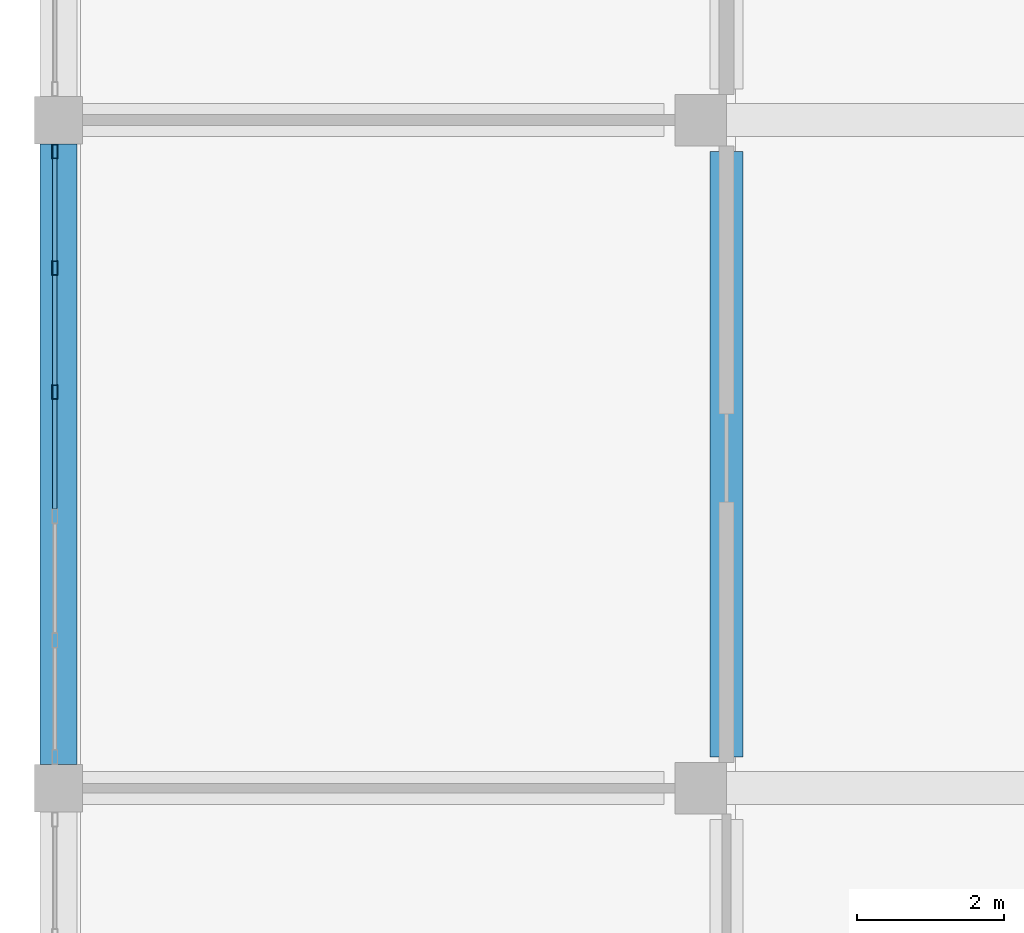
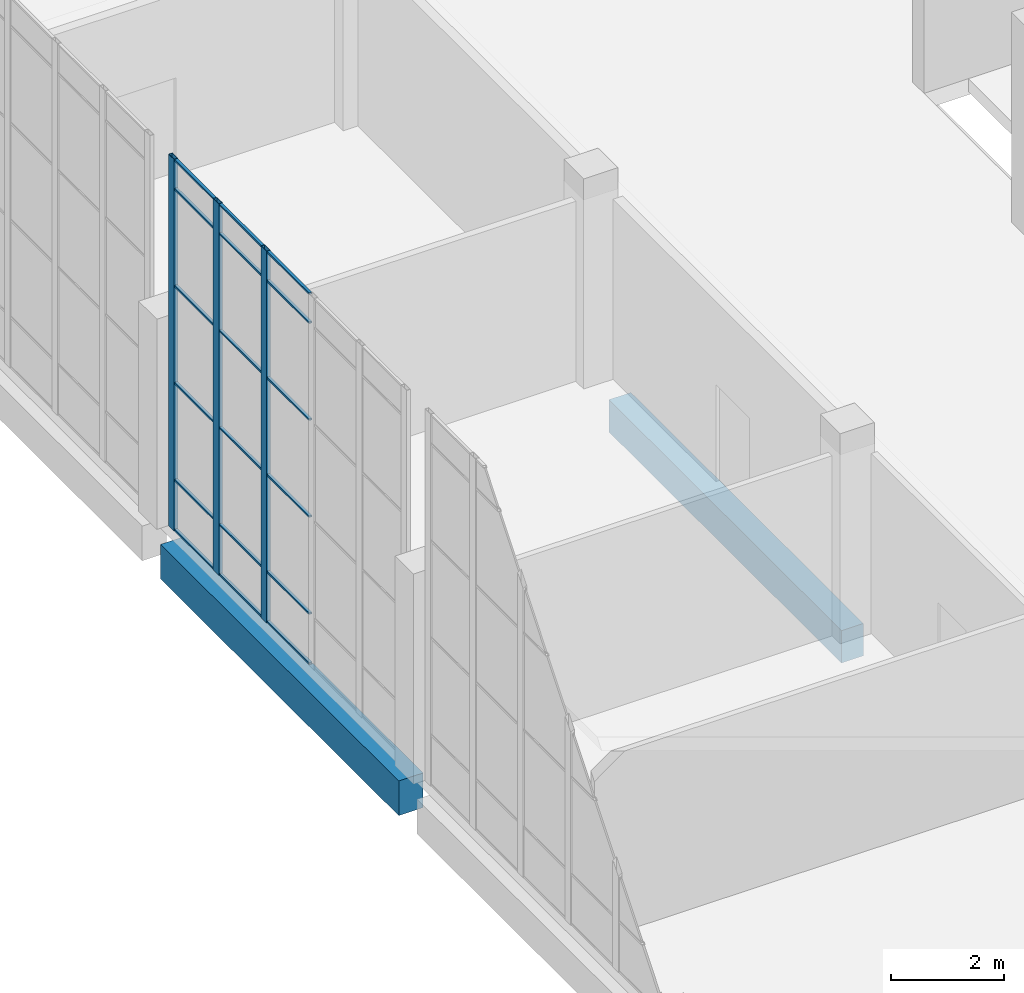
# One storey, part 14 of 126: 21 members, 2 beams, 1 element without a shape of its own.
"""IFC4 building model written with IfcOpenShell, lengths in metres."""

from ifc_helpers import new_model, si_unit, direction, frame, origin, origin_2d, place, context, subcontext, project, spatial, rectangle, hollow_rectangle, extrude, material, layer, layer_set, material_profile, profile_set, type_object, element, aggregate, save


model = new_model("IFC4")

# Units and contexts
model_context = context("Model", 3, precision=1e-05, world=origin(), true_north=direction((0.0, 1.0)))
body_context = subcontext(model_context, "Body", "Model", "MODEL_VIEW")
ifc_project = project(units=[si_unit("LENGTHUNIT", "METRE"), si_unit("AREAUNIT", "SQUARE_METRE"), si_unit("VOLUMEUNIT", "CUBIC_METRE"), si_unit("PLANEANGLEUNIT", "RADIAN"), si_unit("MASSUNIT", "GRAM", prefix="KILO")], contexts=[model_context])

# Site, building, storey
site_placement = place(None, origin())
site = spatial("IfcSite", under=ifc_project, at=site_placement, CompositionType="ELEMENT")
building_placement = place(site_placement, origin())
building = spatial("IfcBuilding", under=site, at=building_placement, Name="Shirokan Park Arena", CompositionType="ELEMENT")
storey_placement = place(building_placement, frame((0.0, 0.0, 6.3701171875)))
storey = spatial("IfcBuildingStorey", under=building, at=storey_placement, Name="L01", CompositionType="ELEMENT", Elevation=6.3701171875)

# Curtain wall, members
ifc_material_1 = material(Name="Steel and glass curtain wall", Category="steel")
ifc_layer = layer(ifc_material_1, 0.199951171875)
ifc_layer_set = layer_set([ifc_layer], Name="Steel and glass curtain wall 200 mm")
curtain_wall_type = type_object("IfcCurtainWallType", Name="Curtain wall hall bay 200", PredefinedType="NOTDEFINED", material=ifc_layer_set)
curtain_wall_placement = place(storey_placement, origin())
curtain_wall = element("IfcCurtainWall", 1, at=curtain_wall_placement, inside=storey, type_object=curtain_wall_type, Name="Curtain wall west bay 6 L01", PredefinedType="NOTDEFINED")
ifc_material_2 = material(Name="Steel S355", Category="steel")
ifc_material_profile_1 = material_profile(ifc_material_2, hollow_rectangle(XDim=0.080078125, YDim=0.199951171875, WallThickness=0.008056640625, at=origin_2d()), Name="RHS 200x80x8")
ifc_profile_set_1 = profile_set([ifc_material_profile_1], Name="Steel S355")
member_type_1 = type_object("IfcMemberType", Name="Mullion RHS 200x80x8", PredefinedType="MULLION", material=ifc_profile_set_1)
member_1_placement = place(storey_placement, frame((-0.050048828125, 63.27490234375, 0.0), z_axis=(0.0, 0.0, 1.0), x_axis=(1.0, 0.0, 0.0)))
member_1 = element("IfcMember", 2, at=member_1_placement, type_object=member_type_1, Name="CW5 mullion 1", PredefinedType="MULLION", context=body_context, shape_type="SweptSolid", body=[
    extrude(hollow_rectangle(XDim=0.080078125, YDim=0.199951171875, WallThickness=0.008056640625, at=origin_2d()), origin(), (0.0, 0.0, 1.0), 8.0498046875),
])
member_2_placement = place(storey_placement, frame((-0.050048828125, 61.68505859375, 0.0), z_axis=(0.0, 0.0, 1.0), x_axis=(1.0, 0.0, 0.0)))
member_2 = element("IfcMember", 3, at=member_2_placement, type_object=member_type_1, Name="CW5 mullion 2", PredefinedType="MULLION", context=body_context, shape_type="SweptSolid", body=[
    extrude(hollow_rectangle(XDim=0.080078125, YDim=0.199951171875, WallThickness=0.008056640625, at=origin_2d()), origin(), (0.0, 0.0, 1.0), 8.0498046875),
])
member_3_placement = place(storey_placement, frame((-0.050048828125, 59.9951171875, 0.0), z_axis=(0.0, 0.0, 1.0), x_axis=(1.0, 0.0, 0.0)))
member_3 = element("IfcMember", 4, at=member_3_placement, type_object=member_type_1, Name="CW5 mullion 3", PredefinedType="MULLION", context=body_context, shape_type="SweptSolid", body=[
    extrude(hollow_rectangle(XDim=0.080078125, YDim=0.199951171875, WallThickness=0.008056640625, at=origin_2d()), origin(), (0.0, 0.0, 1.0), 8.0498046875),
])

# Beams
ifc_material_3 = material(Name="Concrete C35", Category="concrete")
ifc_material_profile_2 = material_profile(ifc_material_3, rectangle(XDim=0.449951171875, YDim=0.699951171875, at=origin_2d()), Name="450x700")
ifc_profile_set_2 = profile_set([ifc_material_profile_2], Name="Concrete C35")
beam_type_1 = type_object("IfcBeamType", Name="RC girder 450x700", PredefinedType="BEAM", material=ifc_profile_set_2)
beam_1_placement = place(storey_placement, frame((9.10009765625, 55.025146484375, -0.7001953125), z_axis=(0.0, 1.0, 0.0), x_axis=(-1.0, 0.0, 0.0)))
element("IfcBeam", 5, at=beam_1_placement, inside=storey, type_object=beam_type_1, Name="Girder 2G-2H L01", PredefinedType="BEAM", context=body_context, shape_type="SweptSolid", body=[
    extrude(rectangle(XDim=0.449951171875, YDim=0.699951171875, at=origin_2d()), origin(), (0.0, 0.0, 1.0), 8.249755859375),
])
ifc_material_profile_3 = material_profile(ifc_material_3, rectangle(XDim=0.5, YDim=0.75, at=origin_2d()), Name="500x750")
ifc_profile_set_3 = profile_set([ifc_material_profile_3], Name="Concrete C35")
beam_type_2 = type_object("IfcBeamType", Name="RC girder 500x750", PredefinedType="BEAM", material=ifc_profile_set_3)
beam_2_placement = place(storey_placement, frame((0.0, 54.925048828125, -0.72509765625), z_axis=(0.0, 1.0, 0.0), x_axis=(-1.0, 0.0, 0.0)))
element("IfcBeam", 6, at=beam_2_placement, inside=storey, type_object=beam_type_2, Name="Girder 1G-1H L01", PredefinedType="BEAM", context=body_context, shape_type="SweptSolid", body=[
    extrude(rectangle(XDim=0.5, YDim=0.75, at=origin_2d()), origin(), (0.0, 0.0, 1.0), 8.449951171875),
])

# Member
ifc_material_profile_4 = material_profile(ifc_material_2, hollow_rectangle(XDim=0.06005859375, YDim=0.0400390625, WallThickness=0.00390625, at=origin_2d()), Name="RHS 60x40x4")
ifc_profile_set_4 = profile_set([ifc_material_profile_4], Name="Steel S355")
member_type_2 = type_object("IfcMemberType", Name="Transom RHS 60x40x4", PredefinedType="MULLION", material=ifc_profile_set_4)
member_4_placement = place(storey_placement, frame((-0.050048828125, 63.175048828125, 0.019775390625), z_axis=(0.0, -1.0, 0.0), x_axis=(1.0, 0.0, 0.0)))
member_4 = element("IfcMember", 7, at=member_4_placement, type_object=member_type_2, Name="CW5 transom 1.1", PredefinedType="MULLION", context=body_context, shape_type="SweptSolid", body=[
    extrude(hollow_rectangle(XDim=0.06005859375, YDim=0.0400390625, WallThickness=0.00390625, at=origin_2d()), origin(), (0.0, 0.0, 1.0), 1.39013671875),
])

member_5_placement = place(storey_placement, frame((-0.050048828125, 63.175048828125, 1.099853515625), z_axis=(0.0, -1.0, 0.0), x_axis=(1.0, 0.0, 0.0)))
member_5 = element("IfcMember", 8, at=member_5_placement, type_object=member_type_2, Name="CW5 transom 1.2", PredefinedType="MULLION", context=body_context, shape_type="SweptSolid", body=[
    extrude(hollow_rectangle(XDim=0.06005859375, YDim=0.0400390625, WallThickness=0.00390625, at=origin_2d()), origin(), (0.0, 0.0, 1.0), 1.39013671875),
])

member_6_placement = place(storey_placement, frame((-0.050048828125, 63.175048828125, 3.199951171875), z_axis=(0.0, -1.0, 0.0), x_axis=(1.0, 0.0, 0.0)))
member_6 = element("IfcMember", 9, at=member_6_placement, type_object=member_type_2, Name="CW5 transom 1.3", PredefinedType="MULLION", context=body_context, shape_type="SweptSolid", body=[
    extrude(hollow_rectangle(XDim=0.06005859375, YDim=0.0400390625, WallThickness=0.00390625, at=origin_2d()), origin(), (0.0, 0.0, 1.0), 1.39013671875),
])

member_7_placement = place(storey_placement, frame((-0.050048828125, 63.175048828125, 5.2998046875), z_axis=(0.0, -1.0, 0.0), x_axis=(1.0, 0.0, 0.0)))
member_7 = element("IfcMember", 10, at=member_7_placement, type_object=member_type_2, Name="CW5 transom 1.4", PredefinedType="MULLION", context=body_context, shape_type="SweptSolid", body=[
    extrude(hollow_rectangle(XDim=0.06005859375, YDim=0.0400390625, WallThickness=0.00390625, at=origin_2d()), origin(), (0.0, 0.0, 1.0), 1.39013671875),
])

member_8_placement = place(storey_placement, frame((-0.050048828125, 63.175048828125, 7.39990234375), z_axis=(0.0, -1.0, 0.0), x_axis=(1.0, 0.0, 0.0)))
member_8 = element("IfcMember", 11, at=member_8_placement, type_object=member_type_2, Name="CW5 transom 1.5", PredefinedType="MULLION", context=body_context, shape_type="SweptSolid", body=[
    extrude(hollow_rectangle(XDim=0.06005859375, YDim=0.0400390625, WallThickness=0.00390625, at=origin_2d()), origin(), (0.0, 0.0, 1.0), 1.39013671875),
])

member_9_placement = place(storey_placement, frame((-0.050048828125, 63.175048828125, 8.02978515625), z_axis=(0.0, -1.0, 0.0), x_axis=(1.0, 0.0, 0.0)))
member_9 = element("IfcMember", 12, at=member_9_placement, type_object=member_type_2, Name="CW5 transom 1.6", PredefinedType="MULLION", context=body_context, shape_type="SweptSolid", body=[
    extrude(hollow_rectangle(XDim=0.06005859375, YDim=0.0400390625, WallThickness=0.00390625, at=origin_2d()), origin(), (0.0, 0.0, 1.0), 1.39013671875),
])

member_10_placement = place(storey_placement, frame((-0.050048828125, 61.5849609375, 0.019775390625), z_axis=(0.0, -1.0, 0.0), x_axis=(1.0, 0.0, 0.0)))
member_10 = element("IfcMember", 13, at=member_10_placement, type_object=member_type_2, Name="CW5 transom 2.1", PredefinedType="MULLION", context=body_context, shape_type="SweptSolid", body=[
    extrude(hollow_rectangle(XDim=0.06005859375, YDim=0.0400390625, WallThickness=0.00390625, at=origin_2d()), origin(), (0.0, 0.0, 1.0), 1.489990234375),
])

member_11_placement = place(storey_placement, frame((-0.050048828125, 61.5849609375, 1.099853515625), z_axis=(0.0, -1.0, 0.0), x_axis=(1.0, 0.0, 0.0)))
member_11 = element("IfcMember", 14, at=member_11_placement, type_object=member_type_2, Name="CW5 transom 2.2", PredefinedType="MULLION", context=body_context, shape_type="SweptSolid", body=[
    extrude(hollow_rectangle(XDim=0.06005859375, YDim=0.0400390625, WallThickness=0.00390625, at=origin_2d()), origin(), (0.0, 0.0, 1.0), 1.489990234375),
])

member_12_placement = place(storey_placement, frame((-0.050048828125, 61.5849609375, 3.199951171875), z_axis=(0.0, -1.0, 0.0), x_axis=(1.0, 0.0, 0.0)))
member_12 = element("IfcMember", 15, at=member_12_placement, type_object=member_type_2, Name="CW5 transom 2.3", PredefinedType="MULLION", context=body_context, shape_type="SweptSolid", body=[
    extrude(hollow_rectangle(XDim=0.06005859375, YDim=0.0400390625, WallThickness=0.00390625, at=origin_2d()), origin(), (0.0, 0.0, 1.0), 1.489990234375),
])

member_13_placement = place(storey_placement, frame((-0.050048828125, 61.5849609375, 5.2998046875), z_axis=(0.0, -1.0, 0.0), x_axis=(1.0, 0.0, 0.0)))
member_13 = element("IfcMember", 16, at=member_13_placement, type_object=member_type_2, Name="CW5 transom 2.4", PredefinedType="MULLION", context=body_context, shape_type="SweptSolid", body=[
    extrude(hollow_rectangle(XDim=0.06005859375, YDim=0.0400390625, WallThickness=0.00390625, at=origin_2d()), origin(), (0.0, 0.0, 1.0), 1.489990234375),
])

member_14_placement = place(storey_placement, frame((-0.050048828125, 61.5849609375, 7.39990234375), z_axis=(0.0, -1.0, 0.0), x_axis=(1.0, 0.0, 0.0)))
member_14 = element("IfcMember", 17, at=member_14_placement, type_object=member_type_2, Name="CW5 transom 2.5", PredefinedType="MULLION", context=body_context, shape_type="SweptSolid", body=[
    extrude(hollow_rectangle(XDim=0.06005859375, YDim=0.0400390625, WallThickness=0.00390625, at=origin_2d()), origin(), (0.0, 0.0, 1.0), 1.489990234375),
])

member_15_placement = place(storey_placement, frame((-0.050048828125, 61.5849609375, 8.02978515625), z_axis=(0.0, -1.0, 0.0), x_axis=(1.0, 0.0, 0.0)))
member_15 = element("IfcMember", 18, at=member_15_placement, type_object=member_type_2, Name="CW5 transom 2.6", PredefinedType="MULLION", context=body_context, shape_type="SweptSolid", body=[
    extrude(hollow_rectangle(XDim=0.06005859375, YDim=0.0400390625, WallThickness=0.00390625, at=origin_2d()), origin(), (0.0, 0.0, 1.0), 1.489990234375),
])

member_16_placement = place(storey_placement, frame((-0.050048828125, 59.89501953125, 0.019775390625), z_axis=(0.0, -1.0, 0.0), x_axis=(1.0, 0.0, 0.0)))
member_16 = element("IfcMember", 19, at=member_16_placement, type_object=member_type_2, Name="CW5 transom 3.1", PredefinedType="MULLION", context=body_context, shape_type="SweptSolid", body=[
    extrude(hollow_rectangle(XDim=0.06005859375, YDim=0.0400390625, WallThickness=0.00390625, at=origin_2d()), origin(), (0.0, 0.0, 1.0), 1.489990234375),
])

member_17_placement = place(storey_placement, frame((-0.050048828125, 59.89501953125, 1.099853515625), z_axis=(0.0, -1.0, 0.0), x_axis=(1.0, 0.0, 0.0)))
member_17 = element("IfcMember", 20, at=member_17_placement, type_object=member_type_2, Name="CW5 transom 3.2", PredefinedType="MULLION", context=body_context, shape_type="SweptSolid", body=[
    extrude(hollow_rectangle(XDim=0.06005859375, YDim=0.0400390625, WallThickness=0.00390625, at=origin_2d()), origin(), (0.0, 0.0, 1.0), 1.489990234375),
])

member_18_placement = place(storey_placement, frame((-0.050048828125, 59.89501953125, 3.199951171875), z_axis=(0.0, -1.0, 0.0), x_axis=(1.0, 0.0, 0.0)))
member_18 = element("IfcMember", 21, at=member_18_placement, type_object=member_type_2, Name="CW5 transom 3.3", PredefinedType="MULLION", context=body_context, shape_type="SweptSolid", body=[
    extrude(hollow_rectangle(XDim=0.06005859375, YDim=0.0400390625, WallThickness=0.00390625, at=origin_2d()), origin(), (0.0, 0.0, 1.0), 1.489990234375),
])

member_19_placement = place(storey_placement, frame((-0.050048828125, 59.89501953125, 5.2998046875), z_axis=(0.0, -1.0, 0.0), x_axis=(1.0, 0.0, 0.0)))
member_19 = element("IfcMember", 22, at=member_19_placement, type_object=member_type_2, Name="CW5 transom 3.4", PredefinedType="MULLION", context=body_context, shape_type="SweptSolid", body=[
    extrude(hollow_rectangle(XDim=0.06005859375, YDim=0.0400390625, WallThickness=0.00390625, at=origin_2d()), origin(), (0.0, 0.0, 1.0), 1.489990234375),
])

member_20_placement = place(storey_placement, frame((-0.050048828125, 59.89501953125, 7.39990234375), z_axis=(0.0, -1.0, 0.0), x_axis=(1.0, 0.0, 0.0)))
member_20 = element("IfcMember", 23, at=member_20_placement, type_object=member_type_2, Name="CW5 transom 3.5", PredefinedType="MULLION", context=body_context, shape_type="SweptSolid", body=[
    extrude(hollow_rectangle(XDim=0.06005859375, YDim=0.0400390625, WallThickness=0.00390625, at=origin_2d()), origin(), (0.0, 0.0, 1.0), 1.489990234375),
])

member_21_placement = place(storey_placement, frame((-0.050048828125, 59.89501953125, 8.02978515625), z_axis=(0.0, -1.0, 0.0), x_axis=(1.0, 0.0, 0.0)))
member_21 = element("IfcMember", 24, at=member_21_placement, type_object=member_type_2, Name="CW5 transom 3.6", PredefinedType="MULLION", context=body_context, shape_type="SweptSolid", body=[
    extrude(hollow_rectangle(XDim=0.06005859375, YDim=0.0400390625, WallThickness=0.00390625, at=origin_2d()), origin(), (0.0, 0.0, 1.0), 1.489990234375),
])

aggregate(curtain_wall, [member_1, member_2, member_3, member_4, member_5, member_6, member_7, member_8, member_9, member_10, member_11, member_12, member_13, member_14, member_15, member_16, member_17, member_18, member_19, member_20, member_21])

save(model, "model.ifc")
